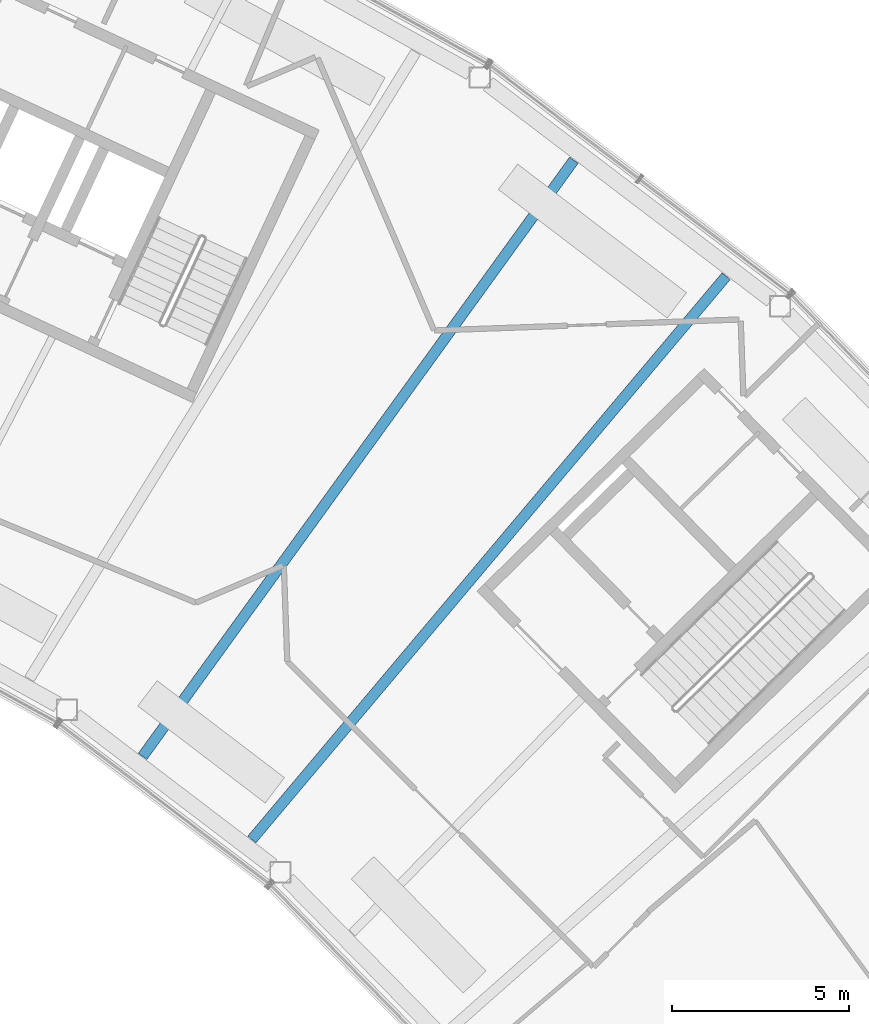
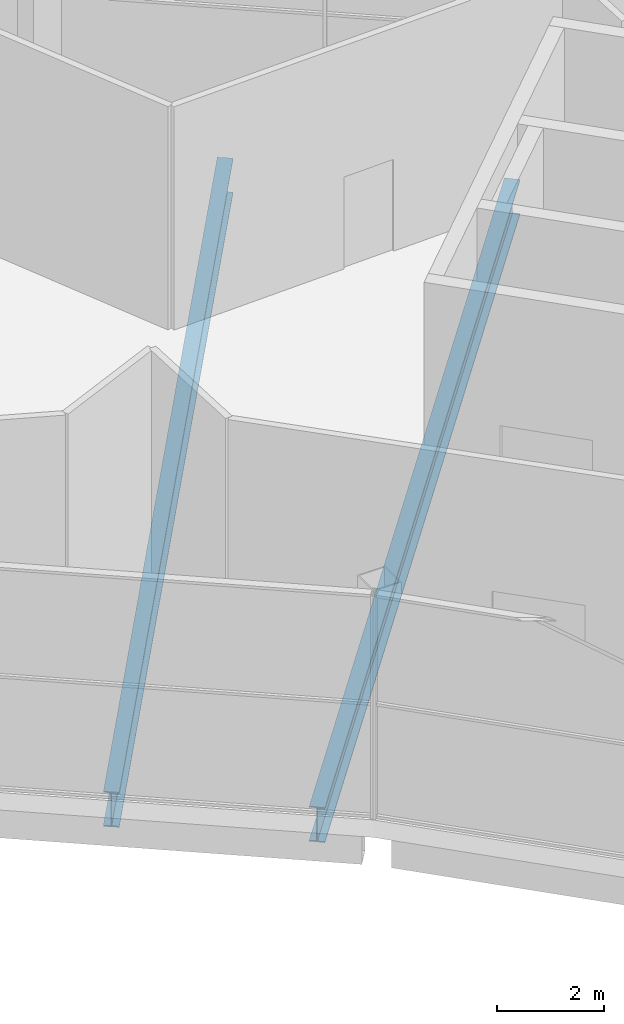
# One storey, part 25 of 43: 2 beams.
"""IFC4 building model written with IfcOpenShell, lengths in metres."""

from ifc_helpers import new_model, si_unit, direction, frame, origin, origin_2d, place, context, subcontext, project, spatial, i_section, extrude, material, material_profile, profile_set, type_object, element, save


model = new_model("IFC4")

# Units and contexts
model_context = context("Model", 3, precision=1e-05, world=origin(), true_north=direction((0.0, 1.0)))
body_context = subcontext(model_context, "Body", "Model", "MODEL_VIEW")
ifc_project = project(units=[si_unit("LENGTHUNIT", "METRE"), si_unit("AREAUNIT", "SQUARE_METRE"), si_unit("VOLUMEUNIT", "CUBIC_METRE"), si_unit("PLANEANGLEUNIT", "RADIAN"), si_unit("MASSUNIT", "GRAM", prefix="KILO")], contexts=[model_context])

# Site, building, storey
site_placement = place(None, origin())
site = spatial("IfcSite", under=ifc_project, at=site_placement, CompositionType="ELEMENT")
building_placement = place(site_placement, origin())
building = spatial("IfcBuilding", under=site, at=building_placement, Name="Tuul Gate Civic Tower", CompositionType="ELEMENT")
storey_placement = place(building_placement, frame((0.0, 0.0, 349.10009765625)))
storey = spatial("IfcBuildingStorey", under=building, at=storey_placement, Name="Observation level 1", CompositionType="ELEMENT", Elevation=349.10009765625)

# Beams
ifc_material = material(Name="Steel S355", Category="steel")
ifc_material_profile = material_profile(ifc_material, i_section(OverallWidth=0.300048828125, OverallDepth=0.800048828125, WebThickness=0.013916015625, FlangeThickness=0.02490234375, at=origin_2d()), Name="PG800x300x14x25")
ifc_profile_set = profile_set([ifc_material_profile], Name="Steel S355")
beam_type = type_object("IfcBeamType", Name="STR-FLOOR BEAM-PG800x300x14x25", PredefinedType="BEAM", material=ifc_profile_set)
beam_1_placement = place(storey_placement, frame((36.14990234375, -19.74462890625, -0.800048828125), z_axis=(0.644135745783, 0.764911198117, 0.0), x_axis=(-0.764911198117, 0.644135745783, 0.0)))
element("IfcBeam", 1, at=beam_1_placement, inside=storey, type_object=beam_type, Name="Floor beam", PredefinedType="BEAM", context=body_context, shape_type="SweptSolid", body=[
    extrude(i_section(OverallWidth=0.300048828125, OverallDepth=0.800048828125, WebThickness=0.013916015625, FlangeThickness=0.02490234375, at=origin_2d()), origin(), (0.0, 0.0, 1.0), 20.824951171875),
])
beam_2_placement = place(storey_placement, frame((33.061767578125, -17.393310546875, -0.800048828125), z_axis=(0.586073074744, 0.810258200242, 0.0), x_axis=(-0.810258200242, 0.586073074744, 0.0)))
element("IfcBeam", 2, at=beam_2_placement, inside=storey, type_object=beam_type, Name="Floor beam", PredefinedType="BEAM", context=body_context, shape_type="SweptSolid", body=[
    extrude(i_section(OverallWidth=0.300048828125, OverallDepth=0.800048828125, WebThickness=0.013916015625, FlangeThickness=0.02490234375, at=origin_2d()), origin(), (0.0, 0.0, 1.0), 20.8056640625),
])

save(model, "model.ifc")
